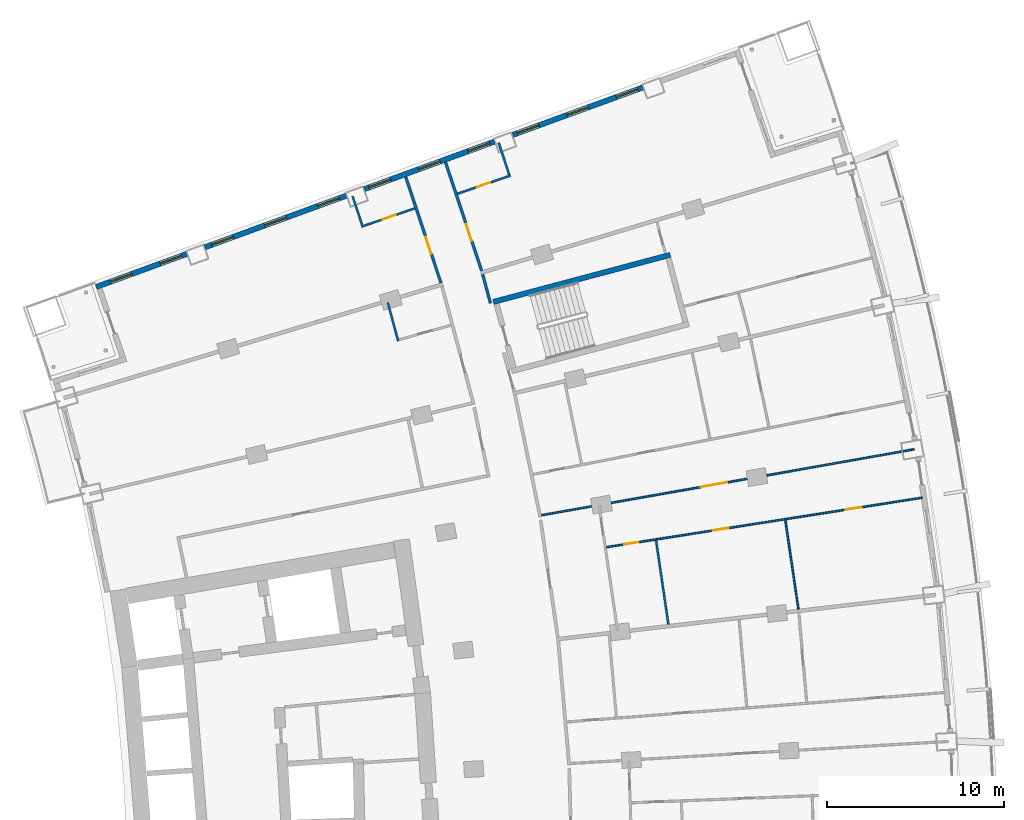
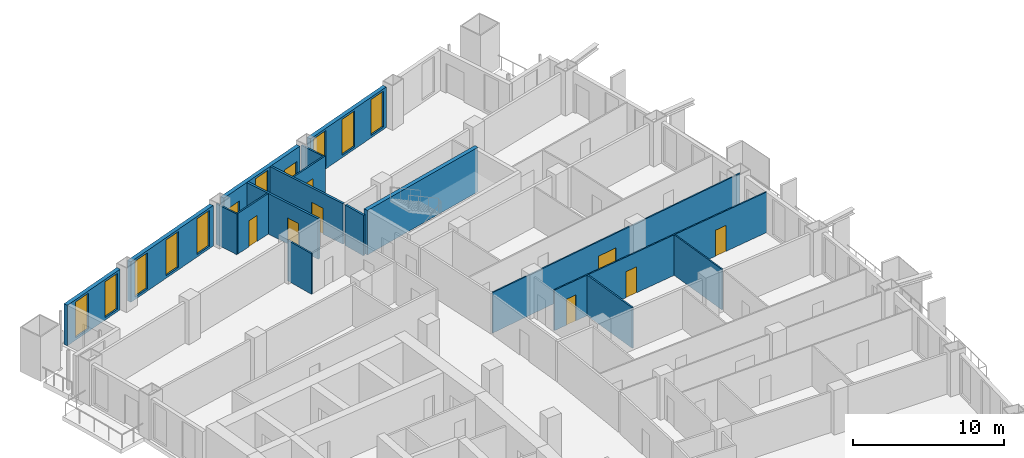
# One storey, part 20 of 25: 17 walls, 11 windows, 8 doors, 19 openings.
"""IFC4 building model written with IfcOpenShell, lengths in metres."""

import ifcopenshell
import ifcopenshell.guid

model = None  # the IFC model being written
_history = None  # IfcOwnerHistory: only IFC2X3 demands one
_inside = {}  # id of a spatial element -> (the spatial element, [elements in it])
_under = {}  # id of a project, library or spatial element -> (it, [spatial elements below it])
_declared = {}  # id of a project -> (the project, [libraries it declares])
_typed = {}  # id of a type object -> (the type object, [elements of that type])
_made_of = {}  # id of a material, layer set ... -> (it, [elements and type objects made of it])


def new_model(schema):
    """Start an empty IFC model of exactly this schema.

    Asked for "IFC4X3", IfcOpenShell would pick the latest addendum, in which some entities
    have other attributes; the version numbers below select the first issue.
    IFC2X3 requires an IfcOwnerHistory on every rooted entity: one is made here for all.
    """
    global model, _history
    if schema == "IFC4X3":
        model = ifcopenshell.file(schema_version=(4, 3, 0, 0))
    else:
        model = ifcopenshell.file(schema=schema)
    _inside.clear()
    _under.clear()
    _declared.clear()
    _typed.clear()
    _made_of.clear()
    _history = None
    if model.schema == "IFC2X3":
        org = make("IfcOrganization", Name="unknown")
        user = make(
            "IfcPersonAndOrganization",
            ThePerson=make("IfcPerson", FamilyName="unknown"),
            TheOrganization=org,
        )
        app = make(
            "IfcApplication",
            ApplicationDeveloper=org,
            Version="unknown",
            ApplicationFullName="unknown",
            ApplicationIdentifier="unknown",
        )
        _history = make(
            "IfcOwnerHistory",
            OwningUser=user,
            OwningApplication=app,
            ChangeAction="ADDED",
            CreationDate=0,
        )
    return model


def make(cls, **values):
    """One entity of the class cls with the attributes given. An attribute that is None is left unset."""
    return model.create_entity(
        cls, **{name: value for name, value in values.items() if value is not None}
    )


def rooted(cls, **values):
    """An entity with a GlobalId (a new one), such as an element, a storey or a relation."""
    return make(cls, GlobalId=ifcopenshell.guid.new(), OwnerHistory=_history, **values)


def si_unit(unit_type, name, prefix=None):
    """IfcSIUnit, for example si_unit("LENGTHUNIT", "METRE", prefix="MILLI")."""
    return make("IfcSIUnit", UnitType=unit_type, Prefix=prefix, Name=name)


def assignment(units):
    """IfcUnitAssignment: the units of a project."""
    return None if units is None else make("IfcUnitAssignment", Units=units)


def point(xyz):
    """IfcCartesianPoint."""
    return None if xyz is None else make("IfcCartesianPoint", Coordinates=xyz)


def direction(xyz):
    """IfcDirection."""
    return None if xyz is None else make("IfcDirection", DirectionRatios=xyz)


def frame(location, z_axis=None, x_axis=None):
    """IfcAxis2Placement3D, a coordinate frame: its origin and axes. An axis left out is left unset."""
    return make(
        "IfcAxis2Placement3D",
        Location=point(location),
        Axis=direction(z_axis),
        RefDirection=direction(x_axis),
    )


def frame_2d(location, x_axis=None):
    """IfcAxis2Placement2D, a coordinate frame in the plane: its origin and x axis."""
    return make(
        "IfcAxis2Placement2D", Location=point(location), RefDirection=direction(x_axis)
    )


def origin():
    """The frame at (0, 0, 0) with its axes left unset."""
    return frame((0.0, 0.0, 0.0))


def place(relative_to, where):
    """IfcLocalPlacement: puts the frame where relative to a parent placement (None: the world)."""
    return make(
        "IfcLocalPlacement", PlacementRelTo=relative_to, RelativePlacement=where
    )


def context(
    kind, dimensions, precision=None, world=None, true_north=None, identifier=None
):
    """IfcGeometricRepresentationContext, for example the 3D "Model" context."""
    return make(
        "IfcGeometricRepresentationContext",
        ContextIdentifier=identifier,
        ContextType=kind,
        CoordinateSpaceDimension=dimensions,
        Precision=precision,
        WorldCoordinateSystem=world,
        TrueNorth=true_north,
    )


def subcontext(parent, identifier, kind, view, scale=None):
    """IfcGeometricRepresentationSubContext, for example "Body" below "Model"."""
    return make(
        "IfcGeometricRepresentationSubContext",
        ContextIdentifier=identifier,
        ContextType=kind,
        ParentContext=parent,
        TargetScale=scale,
        TargetView=view,
    )


def project(units=None, contexts=None):
    """IfcProject with its units and contexts."""
    return rooted(
        "IfcProject",
        Name="project",
        RepresentationContexts=contexts,
        UnitsInContext=assignment(units),
    )


def spatial(cls, under=None, at=None, **own):
    """A site, building, storey or space (cls), placed at a placement, below another one or the project."""
    s = rooted(cls, ObjectPlacement=at, **own)
    if under is not None:
        _under.setdefault(under.id(), (under, []))[1].append(s)
    return s


def profile(cls, at=None, kind="AREA", **sizes):
    """A parametric profile (cls). Its sizes go by their IFC names, for example OverallWidth=200.0."""
    return make(cls, ProfileType=kind, Position=at, **sizes)


def rectangle(**sizes):
    """IfcRectangleProfileDef."""
    return profile("IfcRectangleProfileDef", **sizes)


def extrude(swept, where, along, depth):
    """IfcExtrudedAreaSolid: the profile swept, set in the frame where, extruded along a direction by depth."""
    return make(
        "IfcExtrudedAreaSolid",
        SweptArea=swept,
        Position=where,
        ExtrudedDirection=direction(along),
        Depth=depth,
    )


def shape(context_of_items, identifier, shape_type, items):
    """IfcShapeRepresentation: the items that make up one representation, for example the "Body"."""
    return make(
        "IfcShapeRepresentation",
        ContextOfItems=context_of_items,
        RepresentationIdentifier=identifier,
        RepresentationType=shape_type,
        Items=items,
    )


def material(Name=None, Category=None):
    """IfcMaterial."""
    return make("IfcMaterial", Name=Name, Category=Category)


def layer(
    of_material, thickness, ventilated=None, Name=None, Category=None, Priority=None
):
    """IfcMaterialLayer: one layer of a wall or slab, of a material (None: an air gap)."""
    return make(
        "IfcMaterialLayer",
        Material=of_material,
        LayerThickness=thickness,
        IsVentilated=ventilated,
        Name=Name,
        Category=Category,
        Priority=Priority,
    )


def layer_set(layers, Name=None):
    """IfcMaterialLayerSet."""
    return make("IfcMaterialLayerSet", MaterialLayers=layers, LayerSetName=Name)


def made_of(thing, what):
    """Note that an element or type object is made of a material, layer set ...; save() writes the relation."""
    if what is not None:
        _made_of.setdefault(what.id(), (what, []))[1].append(thing)
    return thing


def type_object(cls, material=None, **own):
    """A type object (cls), such as IfcWallType, which elements share."""
    return made_of(rooted(cls, **own), material)


def element(
    cls,
    number,
    at=None,
    inside=None,
    cuts=None,
    type_object=None,
    material=None,
    context=None,
    identifier="Body",
    shape_type=None,
    held_by="IfcProductDefinitionShape",
    body=None,
    shapes=None,
    **own,
):
    """One element of the class cls, such as IfcWall. Its Tag is "e" and its number.

    at: its placement. inside: the storey or other place that contains it. cuts: it is an
    opening in that element (IfcRelVoidsElement). A single representation is given by context,
    identifier, shape_type and body (its items); several are given by shapes. held_by: the class
    of the entity that holds the representations. save() writes the other relations.
    """
    e = rooted(cls, Tag="e%d" % number, ObjectPlacement=at, **own)
    if body is not None:
        shapes = [shape(context, identifier, shape_type, body)]
    if shapes is not None:
        e.Representation = make(held_by, Representations=shapes)
    if inside is not None:
        _inside.setdefault(inside.id(), (inside, []))[1].append(e)
    if cuts is not None:
        rooted(
            "IfcRelVoidsElement", RelatingBuildingElement=cuts, RelatedOpeningElement=e
        )
    if type_object is not None:
        _typed.setdefault(type_object.id(), (type_object, []))[1].append(e)
    return made_of(e, material)


def fill(opening, filler):
    """IfcRelFillsElement: the door or window that sits in an opening."""
    return rooted(
        "IfcRelFillsElement",
        RelatingOpeningElement=opening,
        RelatedBuildingElement=filler,
    )


def aggregate(whole, parts):
    """IfcRelAggregates: a whole, such as a stair, and the parts it consists of."""
    return rooted("IfcRelAggregates", RelatingObject=whole, RelatedObjects=parts)


def save(model, path):
    """Write the relations noted so far, then the file.

    IfcRelAggregates (storeys below a building ...), IfcRelContainedInSpatialStructure (elements
    in a storey), IfcRelDefinesByType, IfcRelAssociatesMaterial and IfcRelDeclares: one each for
    every whole, place, type object, material and project.
    """
    for whole, parts in _under.values():
        aggregate(whole, parts)
    for where, things in _inside.values():
        rooted(
            "IfcRelContainedInSpatialStructure",
            RelatedElements=things,
            RelatingStructure=where,
        )
    for kind, things in _typed.values():
        rooted("IfcRelDefinesByType", RelatedObjects=things, RelatingType=kind)
    for what, things in _made_of.values():
        rooted("IfcRelAssociatesMaterial", RelatedObjects=things, RelatingMaterial=what)
    for by, libraries in _declared.values():
        rooted("IfcRelDeclares", RelatingContext=by, RelatedDefinitions=libraries)
    model.write(path)


model = new_model("IFC4")

# Units and contexts
model_context = context("Model", 3, precision=1e-05, world=origin(), true_north=direction((0.0, 1.0)))
body_context = subcontext(model_context, "Body", "Model", "MODEL_VIEW")
ifc_project = project(units=[si_unit("LENGTHUNIT", "METRE"), si_unit("AREAUNIT", "SQUARE_METRE"), si_unit("VOLUMEUNIT", "CUBIC_METRE"), si_unit("PLANEANGLEUNIT", "RADIAN"), si_unit("MASSUNIT", "GRAM", prefix="KILO")], contexts=[model_context])

# Site, building, storey
site_placement = place(None, origin())
site = spatial("IfcSite", under=ifc_project, at=site_placement, CompositionType="ELEMENT")
building_placement = place(site_placement, origin())
building = spatial("IfcBuilding", under=site, at=building_placement, Name="Alderwake Tower", CompositionType="ELEMENT")
storey_placement = place(building_placement, frame((0.0, 0.0, 57.199951171875)))
storey = spatial("IfcBuildingStorey", under=building, at=storey_placement, Name="L13", CompositionType="ELEMENT", Elevation=57.199951171875)

# Wall
ifc_material_1 = material(Name="Concrete C70/85", Category="concrete")
ifc_layer_1 = layer(ifc_material_1, 0.300048828125)
ifc_layer_set_1 = layer_set([ifc_layer_1], Name="Core wall stair enclosure 300 C70-85")
wall_type_1 = type_object("IfcWallType", Name="Core wall stair enclosure 300 C70-85", PredefinedType="SHEAR", material=ifc_layer_set_1)
wall_1_placement = place(storey_placement, frame((36.71142578125, 94.182373046875, 0.0), z_axis=(0.0, 0.0, 1.0), x_axis=(0.966309214305, 0.257383958996, 0.0)))
element("IfcWall", 1, at=wall_1_placement, inside=storey, type_object=wall_type_1, Name="Core wall CW.082", PredefinedType="SHEAR", context=body_context, shape_type="SweptSolid", body=[
    extrude(rectangle(XDim=10.360107421875, YDim=0.300048828125, at=frame_2d((5.18017578125, 0.0))), origin(), (0.0, 0.0, 1.0), 3.60009765625),
])

# Wall, opening, door
ifc_material_2 = material(Name="Gypsum board on metal studs, rated")
ifc_layer_2 = layer(ifc_material_2, 0.159912109375)
ifc_layer_set_2 = layer_set([ifc_layer_2], Name="Corridor wall 160")
wall_type_2 = type_object("IfcWallType", Name="Corridor wall 160", PredefinedType="PARTITIONING", material=ifc_layer_set_2)
wall_2_placement = place(storey_placement, frame((33.75146484375, 95.2548828125, 0.0), z_axis=(0.0, 0.0, 1.0), x_axis=(-0.315406156735, 0.948956772616, 0.0)))
wall_2 = element("IfcWall", 2, at=wall_2_placement, inside=storey, type_object=wall_type_2, Name="WL/L13/W17", PredefinedType="PARTITIONING", context=body_context, shape_type="SweptSolid", body=[
    extrude(rectangle(XDim=6.330078125, YDim=0.159912109375, at=frame_2d((3.1650390625, 0.0))), origin(), (0.0, 0.0, 1.0), 3.280029296875),
])
opening_1_placement = place(wall_2_placement, frame((1.737060546875, 0.0, 0.0)))
opening_1 = element("IfcOpeningElement", 3, at=opening_1_placement, cuts=wall_2, Name="Opening R03-U12.1", PredefinedType="OPENING", context=body_context, shape_type="SweptSolid", body=[
    extrude(rectangle(XDim=1.0, YDim=2.10009765625, at=frame_2d((0.5, 1.050048828125))), frame((0.0, 0.08984375, 0.0), z_axis=(0.0, -1.0, 0.0), x_axis=(1.0, 0.0, 0.0)), (0.0, 0.0, 1.0), 0.179931640625),
])
ifc_material_3 = material(Name="Solid timber leaf in steel frame", Category="steel")
door_type_1 = type_object("IfcDoorType", Name="Flat entrance door 1000 fire-rated", OperationType="SINGLE_SWING_LEFT", PredefinedType="DOOR", material=ifc_material_3)
door_1_placement = place(opening_1_placement, origin())
door_1 = element("IfcDoor", 4, at=door_1_placement, inside=storey, type_object=door_type_1, Name="DR/L13/U12.1", OperationType="SINGLE_SWING_LEFT", OverallHeight=2.10009765625, OverallWidth=1.0, PredefinedType="DOOR", context=body_context, shape_type="SweptSolid", body=[
    extrude(rectangle(XDim=1.0, YDim=2.10009765625, at=frame_2d((0.5, 1.050048828125))), frame((0.0, 0.02490234375, 0.0), z_axis=(0.0, -1.0, 0.0), x_axis=(1.0, 0.0, 0.0)), (0.0, 0.0, 1.0), 0.050048828125),
])
fill(opening_1, door_1)

wall_3_placement = place(storey_placement, frame((34.010986328125, 102.083984375, 0.0), z_axis=(0.0, 0.0, 1.0), x_axis=(0.315140606423, -0.949044992708, 0.0)))
wall_3 = element("IfcWall", 5, at=wall_3_placement, inside=storey, type_object=wall_type_2, Name="WL/L13/W25", PredefinedType="PARTITIONING", context=body_context, shape_type="SweptSolid", body=[
    extrude(rectangle(XDim=6.46875, YDim=0.159912109375, at=frame_2d((3.234375, 0.0))), origin(), (0.0, 0.0, 1.0), 3.280029296875),
])
opening_2_placement = place(wall_3_placement, frame((3.685546875, 0.0, 0.0)))
opening_2 = element("IfcOpeningElement", 6, at=opening_2_placement, cuts=wall_3, Name="Opening R03-U04.1", PredefinedType="OPENING", context=body_context, shape_type="SweptSolid", body=[
    extrude(rectangle(XDim=1.0, YDim=2.10009765625, at=frame_2d((0.5, 1.050048828125))), frame((0.0, 0.08984375, 0.0), z_axis=(0.0, -1.0, 0.0), x_axis=(1.0, 0.0, 0.0)), (0.0, 0.0, 1.0), 0.179931640625),
])
door_2_placement = place(opening_2_placement, origin())
door_2 = element("IfcDoor", 7, at=door_2_placement, inside=storey, type_object=door_type_1, Name="DR/L13/U04.1", OperationType="SINGLE_SWING_LEFT", OverallHeight=2.10009765625, OverallWidth=1.0, PredefinedType="DOOR", context=body_context, shape_type="SweptSolid", body=[
    extrude(rectangle(XDim=1.0, YDim=2.10009765625, at=frame_2d((0.5, 1.050048828125))), frame((0.0, 0.02490234375, 0.0), z_axis=(0.0, -1.0, 0.0), x_axis=(1.0, 0.0, 0.0)), (0.0, 0.0, 1.0), 0.050048828125),
])
fill(opening_2, door_2)

# Wall
wall_4_placement = place(storey_placement, frame((36.549072265625, 94.110107421875, 0.0), z_axis=(0.0, 0.0, 1.0), x_axis=(-0.259813977097, 0.965658685719, 0.0)))
element("IfcWall", 8, at=wall_4_placement, inside=storey, type_object=wall_type_2, Name="WL/L13/W28", PredefinedType="PARTITIONING", context=body_context, shape_type="SweptSolid", body=[
    extrude(rectangle(XDim=1.70166015625, YDim=0.159912109375, at=frame_2d((0.850830078125, 0.0))), origin(), (0.0, 0.0, 1.0), 3.280029296875),
])

# Wall, openings, windows
ifc_material_4 = material(Name="Bronze metal cladding on lightweight framing")
ifc_layer_3 = layer(ifc_material_4, 0.300048828125)
ifc_layer_set_3 = layer_set([ifc_layer_3], Name="External wall EW2 bronze metal cladding")
wall_type_3 = type_object("IfcWallType", Name="External wall EW2 bronze metal cladding", PredefinedType="SOLIDWALL", material=ifc_layer_set_3)
wall_5_placement = place(storey_placement, frame((45.1630859375, 106.3154296875, 0.0), z_axis=(0.0, 0.0, 1.0), x_axis=(-0.939377568192, -0.342884505887, 0.0)))
wall_5 = element("IfcWall", 9, at=wall_5_placement, inside=storey, type_object=wall_type_3, Name="External wall 26", PredefinedType="SOLIDWALL", context=body_context, shape_type="SweptSolid", body=[
    extrude(rectangle(XDim=7.829345703125, YDim=0.300048828125, at=frame_2d((3.91455078125, 0.0))), origin(), (0.0, 0.0, 1.0), 3.280029296875),
])
opening_3_placement = place(wall_5_placement, frame((0.286865234375, 0.0, 0.199951171875)))
opening_3 = element("IfcOpeningElement", 10, at=opening_3_placement, cuts=wall_5, Name="Opening W1", PredefinedType="OPENING", context=body_context, shape_type="SweptSolid", body=[
    extrude(rectangle(XDim=1.300048828125, YDim=2.89990234375, at=frame_2d((0.64990234375, 1.449951171875))), frame((0.0, 0.159912109375, 0.0), z_axis=(0.0, -1.0, 0.0), x_axis=(1.0, 0.0, 0.0)), (0.0, 0.0, 1.0), 0.320068359375),
])
opening_4_placement = place(wall_5_placement, frame((3.2646484375, 0.0, 0.199951171875)))
opening_4 = element("IfcOpeningElement", 11, at=opening_4_placement, cuts=wall_5, Name="Opening W1", PredefinedType="OPENING", context=body_context, shape_type="SweptSolid", body=[
    extrude(rectangle(XDim=1.300048828125, YDim=2.89990234375, at=frame_2d((0.64990234375, 1.449951171875))), frame((0.0, 0.159912109375, 0.0), z_axis=(0.0, -1.0, 0.0), x_axis=(1.0, 0.0, 0.0)), (0.0, 0.0, 1.0), 0.320068359375),
])
opening_5_placement = place(wall_5_placement, frame((6.24267578125, 0.0, 0.199951171875)))
opening_5 = element("IfcOpeningElement", 12, at=opening_5_placement, cuts=wall_5, Name="Opening W1", PredefinedType="OPENING", context=body_context, shape_type="SweptSolid", body=[
    extrude(rectangle(XDim=1.300048828125, YDim=2.89990234375, at=frame_2d((0.64990234375, 1.449951171875))), frame((0.0, 0.159912109375, 0.0), z_axis=(0.0, -1.0, 0.0), x_axis=(1.0, 0.0, 0.0)), (0.0, 0.0, 1.0), 0.320068359375),
])
ifc_material_5 = material(Name="Bronze tinted glass in aluminium frame", Category="aluminium")
window_type_1 = type_object("IfcWindowType", Name="Window W1 tall fixed and vent", PartitioningType="DOUBLE_PANEL_VERTICAL", PredefinedType="WINDOW", material=ifc_material_5)
window_1_placement = place(opening_3_placement, origin())
window_1 = element("IfcWindow", 13, at=window_1_placement, inside=storey, type_object=window_type_1, Name="Window W1 tall fixed and vent", OverallHeight=2.89990234375, OverallWidth=1.300048828125, PartitioningType="DOUBLE_PANEL_VERTICAL", PredefinedType="WINDOW", context=body_context, shape_type="SweptSolid", body=[
    extrude(rectangle(XDim=1.300048828125, YDim=2.89990234375, at=frame_2d((0.64990234375, 1.449951171875))), frame((0.0, 0.030029296875, 0.0), z_axis=(0.0, -1.0, 0.0), x_axis=(1.0, 0.0, 0.0)), (0.0, 0.0, 1.0), 0.06005859375),
])
fill(opening_3, window_1)
window_2_placement = place(opening_4_placement, origin())
window_2 = element("IfcWindow", 14, at=window_2_placement, inside=storey, type_object=window_type_1, Name="Window W1 tall fixed and vent", OverallHeight=2.89990234375, OverallWidth=1.300048828125, PartitioningType="DOUBLE_PANEL_VERTICAL", PredefinedType="WINDOW", context=body_context, shape_type="SweptSolid", body=[
    extrude(rectangle(XDim=1.300048828125, YDim=2.89990234375, at=frame_2d((0.64990234375, 1.449951171875))), frame((0.0, 0.030029296875, 0.0), z_axis=(0.0, -1.0, 0.0), x_axis=(1.0, 0.0, 0.0)), (0.0, 0.0, 1.0), 0.06005859375),
])
fill(opening_4, window_2)
window_3_placement = place(opening_5_placement, origin())
window_3 = element("IfcWindow", 15, at=window_3_placement, inside=storey, type_object=window_type_1, Name="Window W1 tall fixed and vent", OverallHeight=2.89990234375, OverallWidth=1.300048828125, PartitioningType="DOUBLE_PANEL_VERTICAL", PredefinedType="WINDOW", context=body_context, shape_type="SweptSolid", body=[
    extrude(rectangle(XDim=1.300048828125, YDim=2.89990234375, at=frame_2d((0.64990234375, 1.449951171875))), frame((0.0, 0.030029296875, 0.0), z_axis=(0.0, -1.0, 0.0), x_axis=(1.0, 0.0, 0.0)), (0.0, 0.0, 1.0), 0.06005859375),
])
fill(opening_5, window_3)

wall_6_placement = place(storey_placement, frame((36.77099609375, 103.252197265625, 0.0), z_axis=(0.0, 0.0, 1.0), x_axis=(-0.939370235271, -0.34290459473, 0.0)))
wall_6 = element("IfcWall", 16, at=wall_6_placement, inside=storey, type_object=wall_type_3, Name="External wall 27", PredefinedType="SOLIDWALL", context=body_context, shape_type="SweptSolid", body=[
    extrude(rectangle(XDim=7.828857421875, YDim=0.300048828125, at=frame_2d((3.91455078125, 0.0))), origin(), (0.0, 0.0, 1.0), 3.280029296875),
])
opening_6_placement = place(wall_6_placement, frame((0.28662109375, 0.0, 1.0)))
opening_6 = element("IfcOpeningElement", 17, at=opening_6_placement, cuts=wall_6, Name="Opening W2", PredefinedType="OPENING", context=body_context, shape_type="SweptSolid", body=[
    extrude(rectangle(XDim=1.300048828125, YDim=1.199951171875, at=frame_2d((0.64990234375, 0.60009765625))), frame((0.0, 0.159912109375, 0.0), z_axis=(0.0, -1.0, 0.0), x_axis=(1.0, 0.0, 0.0)), (0.0, 0.0, 1.0), 0.320068359375),
])
opening_7_placement = place(wall_6_placement, frame((3.2646484375, 0.0, 0.199951171875)))
opening_7 = element("IfcOpeningElement", 18, at=opening_7_placement, cuts=wall_6, Name="Opening W1", PredefinedType="OPENING", context=body_context, shape_type="SweptSolid", body=[
    extrude(rectangle(XDim=1.300048828125, YDim=2.89990234375, at=frame_2d((0.64990234375, 1.449951171875))), frame((0.0, 0.159912109375, 0.0), z_axis=(0.0, -1.0, 0.0), x_axis=(1.0, 0.0, 0.0)), (0.0, 0.0, 1.0), 0.320068359375),
])
opening_8_placement = place(wall_6_placement, frame((6.242431640625, 0.0, 1.0)))
opening_8 = element("IfcOpeningElement", 19, at=opening_8_placement, cuts=wall_6, Name="Opening W2", PredefinedType="OPENING", context=body_context, shape_type="SweptSolid", body=[
    extrude(rectangle(XDim=1.300048828125, YDim=1.199951171875, at=frame_2d((0.64990234375, 0.60009765625))), frame((0.0, 0.159912109375, 0.0), z_axis=(0.0, -1.0, 0.0), x_axis=(1.0, 0.0, 0.0)), (0.0, 0.0, 1.0), 0.320068359375),
])
window_4_placement = place(opening_7_placement, origin())
window_4 = element("IfcWindow", 20, at=window_4_placement, inside=storey, type_object=window_type_1, Name="Window W1 tall fixed and vent", OverallHeight=2.89990234375, OverallWidth=1.300048828125, PartitioningType="DOUBLE_PANEL_VERTICAL", PredefinedType="WINDOW", context=body_context, shape_type="SweptSolid", body=[
    extrude(rectangle(XDim=1.300048828125, YDim=2.89990234375, at=frame_2d((0.64990234375, 1.449951171875))), frame((0.0, 0.030029296875, 0.0), z_axis=(0.0, -1.0, 0.0), x_axis=(1.0, 0.0, 0.0)), (0.0, 0.0, 1.0), 0.06005859375),
])
fill(opening_7, window_4)
ifc_material_6 = material(Name="Bronze tinted glass in aluminium frame", Category="aluminium")
window_type_2 = type_object("IfcWindowType", Name="Window W2 kitchen and bath", PartitioningType="SINGLE_PANEL", PredefinedType="WINDOW", material=ifc_material_6)
window_5_placement = place(opening_6_placement, origin())
window_5 = element("IfcWindow", 21, at=window_5_placement, inside=storey, type_object=window_type_2, Name="Window W2 kitchen and bath", OverallHeight=1.199951171875, OverallWidth=1.300048828125, PartitioningType="SINGLE_PANEL", PredefinedType="WINDOW", context=body_context, shape_type="SweptSolid", body=[
    extrude(rectangle(XDim=1.300048828125, YDim=1.199951171875, at=frame_2d((0.64990234375, 0.60009765625))), frame((0.0, 0.030029296875, 0.0), z_axis=(0.0, -1.0, 0.0), x_axis=(1.0, 0.0, 0.0)), (0.0, 0.0, 1.0), 0.06005859375),
])
fill(opening_6, window_5)
window_6_placement = place(opening_8_placement, origin())
window_6 = element("IfcWindow", 22, at=window_6_placement, inside=storey, type_object=window_type_2, Name="Window W2 kitchen and bath", OverallHeight=1.199951171875, OverallWidth=1.300048828125, PartitioningType="SINGLE_PANEL", PredefinedType="WINDOW", context=body_context, shape_type="SweptSolid", body=[
    extrude(rectangle(XDim=1.300048828125, YDim=1.199951171875, at=frame_2d((0.64990234375, 0.60009765625))), frame((0.0, 0.030029296875, 0.0), z_axis=(0.0, -1.0, 0.0), x_axis=(1.0, 0.0, 0.0)), (0.0, 0.0, 1.0), 0.06005859375),
])
fill(opening_8, window_6)

wall_7_placement = place(storey_placement, frame((28.37890625, 100.188720703125, 0.0), z_axis=(0.0, 0.0, 1.0), x_axis=(-0.939379066762, -0.342880400328, 0.0)))
wall_7 = element("IfcWall", 23, at=wall_7_placement, inside=storey, type_object=wall_type_3, Name="External wall 28", PredefinedType="SOLIDWALL", context=body_context, shape_type="SweptSolid", body=[
    extrude(rectangle(XDim=8.4951171875, YDim=0.300048828125, at=frame_2d((4.24755859375, 0.0))), origin(), (0.0, 0.0, 1.0), 3.280029296875),
])
opening_9_placement = place(wall_7_placement, frame((0.397705078125, 0.0, 0.199951171875)))
opening_9 = element("IfcOpeningElement", 24, at=opening_9_placement, cuts=wall_7, Name="Opening W1", PredefinedType="OPENING", context=body_context, shape_type="SweptSolid", body=[
    extrude(rectangle(XDim=1.300048828125, YDim=2.89990234375, at=frame_2d((0.64990234375, 1.449951171875))), frame((0.0, 0.159912109375, 0.0), z_axis=(0.0, -1.0, 0.0), x_axis=(1.0, 0.0, 0.0)), (0.0, 0.0, 1.0), 0.320068359375),
])
opening_10_placement = place(wall_7_placement, frame((3.59765625, 0.0, 0.199951171875)))
opening_10 = element("IfcOpeningElement", 25, at=opening_10_placement, cuts=wall_7, Name="Opening W1", PredefinedType="OPENING", context=body_context, shape_type="SweptSolid", body=[
    extrude(rectangle(XDim=1.300048828125, YDim=2.89990234375, at=frame_2d((0.64990234375, 1.449951171875))), frame((0.0, 0.159912109375, 0.0), z_axis=(0.0, -1.0, 0.0), x_axis=(1.0, 0.0, 0.0)), (0.0, 0.0, 1.0), 0.320068359375),
])
opening_11_placement = place(wall_7_placement, frame((6.7978515625, 0.0, 0.199951171875)))
opening_11 = element("IfcOpeningElement", 26, at=opening_11_placement, cuts=wall_7, Name="Opening W1", PredefinedType="OPENING", context=body_context, shape_type="SweptSolid", body=[
    extrude(rectangle(XDim=1.300048828125, YDim=2.89990234375, at=frame_2d((0.64990234375, 1.449951171875))), frame((0.0, 0.159912109375, 0.0), z_axis=(0.0, -1.0, 0.0), x_axis=(1.0, 0.0, 0.0)), (0.0, 0.0, 1.0), 0.320068359375),
])
window_7_placement = place(opening_9_placement, origin())
window_7 = element("IfcWindow", 27, at=window_7_placement, inside=storey, type_object=window_type_1, Name="Window W1 tall fixed and vent", OverallHeight=2.89990234375, OverallWidth=1.300048828125, PartitioningType="DOUBLE_PANEL_VERTICAL", PredefinedType="WINDOW", context=body_context, shape_type="SweptSolid", body=[
    extrude(rectangle(XDim=1.300048828125, YDim=2.89990234375, at=frame_2d((0.64990234375, 1.449951171875))), frame((0.0, 0.030029296875, 0.0), z_axis=(0.0, -1.0, 0.0), x_axis=(1.0, 0.0, 0.0)), (0.0, 0.0, 1.0), 0.06005859375),
])
fill(opening_9, window_7)
window_8_placement = place(opening_10_placement, origin())
window_8 = element("IfcWindow", 28, at=window_8_placement, inside=storey, type_object=window_type_1, Name="Window W1 tall fixed and vent", OverallHeight=2.89990234375, OverallWidth=1.300048828125, PartitioningType="DOUBLE_PANEL_VERTICAL", PredefinedType="WINDOW", context=body_context, shape_type="SweptSolid", body=[
    extrude(rectangle(XDim=1.300048828125, YDim=2.89990234375, at=frame_2d((0.64990234375, 1.449951171875))), frame((0.0, 0.030029296875, 0.0), z_axis=(0.0, -1.0, 0.0), x_axis=(1.0, 0.0, 0.0)), (0.0, 0.0, 1.0), 0.06005859375),
])
fill(opening_10, window_8)
window_9_placement = place(opening_11_placement, origin())
window_9 = element("IfcWindow", 29, at=window_9_placement, inside=storey, type_object=window_type_1, Name="Window W1 tall fixed and vent", OverallHeight=2.89990234375, OverallWidth=1.300048828125, PartitioningType="DOUBLE_PANEL_VERTICAL", PredefinedType="WINDOW", context=body_context, shape_type="SweptSolid", body=[
    extrude(rectangle(XDim=1.300048828125, YDim=2.89990234375, at=frame_2d((0.64990234375, 1.449951171875))), frame((0.0, 0.030029296875, 0.0), z_axis=(0.0, -1.0, 0.0), x_axis=(1.0, 0.0, 0.0)), (0.0, 0.0, 1.0), 0.06005859375),
])
fill(opening_11, window_9)

wall_8_placement = place(storey_placement, frame((19.360595703125, 96.89697265625, 0.0), z_axis=(0.0, 0.0, 1.0), x_axis=(-0.939360985368, -0.342929933321, 0.0)))
wall_8 = element("IfcWall", 30, at=wall_8_placement, inside=storey, type_object=wall_type_3, Name="External wall 29", PredefinedType="SOLIDWALL", context=body_context, shape_type="SweptSolid", body=[
    extrude(rectangle(XDim=5.448974609375, YDim=0.300048828125, at=frame_2d((2.724609375, 0.0))), origin(), (0.0, 0.0, 1.0), 3.280029296875),
])
opening_12_placement = place(wall_8_placement, frame((0.2978515625, 0.0, 0.199951171875)))
opening_12 = element("IfcOpeningElement", 31, at=opening_12_placement, cuts=wall_8, Name="Opening W1", PredefinedType="OPENING", context=body_context, shape_type="SweptSolid", body=[
    extrude(rectangle(XDim=1.300048828125, YDim=2.89990234375, at=frame_2d((0.64990234375, 1.449951171875))), frame((0.0, 0.159912109375, 0.0), z_axis=(0.0, -1.0, 0.0), x_axis=(1.0, 0.0, 0.0)), (0.0, 0.0, 1.0), 0.320068359375),
])
opening_13_placement = place(wall_8_placement, frame((3.298583984375, 0.0, 0.199951171875)))
opening_13 = element("IfcOpeningElement", 32, at=opening_13_placement, cuts=wall_8, Name="Opening W1", PredefinedType="OPENING", context=body_context, shape_type="SweptSolid", body=[
    extrude(rectangle(XDim=1.300048828125, YDim=2.89990234375, at=frame_2d((0.64990234375, 1.449951171875))), frame((0.0, 0.159912109375, 0.0), z_axis=(0.0, -1.0, 0.0), x_axis=(1.0, 0.0, 0.0)), (0.0, 0.0, 1.0), 0.320068359375),
])
window_10_placement = place(opening_12_placement, origin())
window_10 = element("IfcWindow", 33, at=window_10_placement, inside=storey, type_object=window_type_1, Name="Window W1 tall fixed and vent", OverallHeight=2.89990234375, OverallWidth=1.300048828125, PartitioningType="DOUBLE_PANEL_VERTICAL", PredefinedType="WINDOW", context=body_context, shape_type="SweptSolid", body=[
    extrude(rectangle(XDim=1.300048828125, YDim=2.89990234375, at=frame_2d((0.64990234375, 1.449951171875))), frame((0.0, 0.030029296875, 0.0), z_axis=(0.0, -1.0, 0.0), x_axis=(1.0, 0.0, 0.0)), (0.0, 0.0, 1.0), 0.06005859375),
])
fill(opening_12, window_10)
window_11_placement = place(opening_13_placement, origin())
window_11 = element("IfcWindow", 34, at=window_11_placement, inside=storey, type_object=window_type_1, Name="Window W1 tall fixed and vent", OverallHeight=2.89990234375, OverallWidth=1.300048828125, PartitioningType="DOUBLE_PANEL_VERTICAL", PredefinedType="WINDOW", context=body_context, shape_type="SweptSolid", body=[
    extrude(rectangle(XDim=1.300048828125, YDim=2.89990234375, at=frame_2d((0.64990234375, 1.449951171875))), frame((0.0, 0.030029296875, 0.0), z_axis=(0.0, -1.0, 0.0), x_axis=(1.0, 0.0, 0.0)), (0.0, 0.0, 1.0), 0.06005859375),
])
fill(opening_13, window_11)

# Wall, opening, door
ifc_material_7 = material(Name="Gypsum board on metal studs")
ifc_layer_4 = layer(ifc_material_7, 0.10009765625)
ifc_layer_set_4 = layer_set([ifc_layer_4], Name="Unit partition 100")
wall_type_4 = type_object("IfcWallType", Name="Unit partition 100", PredefinedType="PARTITIONING", material=ifc_layer_set_4)
wall_9_placement = place(storey_placement, frame((39.4267578125, 82.114990234375, 0.0), z_axis=(0.0, 0.0, 1.0), x_axis=(0.984721073887, 0.174139043994, 0.0)))
wall_9 = element("IfcWall", 35, at=wall_9_placement, inside=storey, type_object=wall_type_4, Name="WL/L13/W68", PredefinedType="PARTITIONING", context=body_context, shape_type="SweptSolid", body=[
    extrude(rectangle(XDim=21.41943359375, YDim=0.10009765625, at=frame_2d((10.709716796875, 0.0))), origin(), (0.0, 0.0, 1.0), 3.280029296875),
])
opening_14_placement = place(wall_9_placement, frame((9.166259765625, 0.0, 0.0)))
opening_14 = element("IfcOpeningElement", 36, at=opening_14_placement, cuts=wall_9, Name="Opening R03-U08.10", PredefinedType="OPENING", context=body_context, shape_type="SweptSolid", body=[
    extrude(rectangle(XDim=1.5, YDim=2.10009765625, at=frame_2d((0.75, 1.050048828125))), frame((0.0, 0.06005859375, 0.0), z_axis=(0.0, -1.0, 0.0), x_axis=(1.0, 0.0, 0.0)), (0.0, 0.0, 1.0), 0.1201171875),
])
ifc_material_8 = material(Name="Painted timber leaves", Category="wood")
door_type_2 = type_object("IfcDoorType", Name="Double leaf door 1500", OperationType="DOUBLE_DOOR_SINGLE_SWING", PredefinedType="DOOR", material=ifc_material_8)
door_3_placement = place(opening_14_placement, origin())
door_3 = element("IfcDoor", 37, at=door_3_placement, inside=storey, type_object=door_type_2, Name="DR/L13/U08.10", OperationType="DOUBLE_DOOR_SINGLE_SWING", OverallHeight=2.10009765625, OverallWidth=1.5, PredefinedType="DOOR", context=body_context, shape_type="SweptSolid", body=[
    extrude(rectangle(XDim=1.5, YDim=2.10009765625, at=frame_2d((0.75, 1.050048828125))), frame((0.0, 0.02490234375, 0.0), z_axis=(0.0, -1.0, 0.0), x_axis=(1.0, 0.0, 0.0)), (0.0, 0.0, 1.0), 0.050048828125),
])
fill(opening_14, door_3)

# Wall, openings, doors
wall_10_placement = place(storey_placement, frame((60.97509765625, 83.10888671875, 0.0), z_axis=(0.0, 0.0, 1.0), x_axis=(-0.987927589792, -0.154916355911, 0.0)))
wall_10 = element("IfcWall", 38, at=wall_10_placement, inside=storey, type_object=wall_type_4, Name="WL/L13/W72", PredefinedType="PARTITIONING", context=body_context, shape_type="SweptSolid", body=[
    extrude(rectangle(XDim=18.083984375, YDim=0.10009765625, at=frame_2d((9.0419921875, 0.0))), origin(), (0.0, 0.0, 1.0), 3.280029296875),
])
opening_15_placement = place(wall_10_placement, frame((11.094970703125, 0.0, 0.0)))
opening_15 = element("IfcOpeningElement", 39, at=opening_15_placement, cuts=wall_10, Name="Opening R03-U08.1", PredefinedType="OPENING", context=body_context, shape_type="SweptSolid", body=[
    extrude(rectangle(XDim=0.89990234375, YDim=2.10009765625, at=frame_2d((0.449951171875, 1.050048828125))), frame((0.0, 0.06005859375, 0.0), z_axis=(0.0, -1.0, 0.0), x_axis=(1.0, 0.0, 0.0)), (0.0, 0.0, 1.0), 0.1201171875),
])
opening_16_placement = place(wall_10_placement, frame((16.26513671875, 0.0, 0.0)))
opening_16 = element("IfcOpeningElement", 40, at=opening_16_placement, cuts=wall_10, Name="Opening R03-U08.4", PredefinedType="OPENING", context=body_context, shape_type="SweptSolid", body=[
    extrude(rectangle(XDim=0.800048828125, YDim=2.10009765625, at=frame_2d((0.39990234375, 1.050048828125))), frame((0.0, 0.06005859375, 0.0), z_axis=(0.0, -1.0, 0.0), x_axis=(1.0, 0.0, 0.0)), (0.0, 0.0, 1.0), 0.1201171875),
])
opening_17_placement = place(wall_10_placement, frame((3.47265625, 0.0, 0.0)))
opening_17 = element("IfcOpeningElement", 41, at=opening_17_placement, cuts=wall_10, Name="Opening R03-U08.5", PredefinedType="OPENING", context=body_context, shape_type="SweptSolid", body=[
    extrude(rectangle(XDim=0.89990234375, YDim=2.10009765625, at=frame_2d((0.449951171875, 1.050048828125))), frame((0.0, 0.06005859375, 0.0), z_axis=(0.0, -1.0, 0.0), x_axis=(1.0, 0.0, 0.0)), (0.0, 0.0, 1.0), 0.1201171875),
])
ifc_material_9 = material(Name="Painted timber leaf", Category="wood")
door_type_3 = type_object("IfcDoorType", Name="Bathroom door 800", OperationType="SINGLE_SWING_LEFT", PredefinedType="DOOR", material=ifc_material_9)
door_4_placement = place(opening_16_placement, origin())
door_4 = element("IfcDoor", 42, at=door_4_placement, inside=storey, type_object=door_type_3, Name="DR/L13/U08.4", OperationType="SINGLE_SWING_LEFT", OverallHeight=2.10009765625, OverallWidth=0.800048828125, PredefinedType="DOOR", context=body_context, shape_type="SweptSolid", body=[
    extrude(rectangle(XDim=0.800048828125, YDim=2.10009765625, at=frame_2d((0.39990234375, 1.050048828125))), frame((0.0, 0.02490234375, 0.0), z_axis=(0.0, -1.0, 0.0), x_axis=(1.0, 0.0, 0.0)), (0.0, 0.0, 1.0), 0.050048828125),
])
fill(opening_16, door_4)
ifc_material_10 = material(Name="Painted timber leaf", Category="wood")
door_type_4 = type_object("IfcDoorType", Name="Room door 900", OperationType="SINGLE_SWING_LEFT", PredefinedType="DOOR", material=ifc_material_10)
door_5_placement = place(opening_15_placement, origin())
door_5 = element("IfcDoor", 43, at=door_5_placement, inside=storey, type_object=door_type_4, Name="DR/L13/U08.1", OperationType="SINGLE_SWING_LEFT", OverallHeight=2.10009765625, OverallWidth=0.89990234375, PredefinedType="DOOR", context=body_context, shape_type="SweptSolid", body=[
    extrude(rectangle(XDim=0.89990234375, YDim=2.10009765625, at=frame_2d((0.449951171875, 1.050048828125))), frame((0.0, 0.02490234375, 0.0), z_axis=(0.0, -1.0, 0.0), x_axis=(1.0, 0.0, 0.0)), (0.0, 0.0, 1.0), 0.050048828125),
])
fill(opening_15, door_5)
door_6_placement = place(opening_17_placement, origin())
door_6 = element("IfcDoor", 44, at=door_6_placement, inside=storey, type_object=door_type_4, Name="DR/L13/U08.5", OperationType="SINGLE_SWING_LEFT", OverallHeight=2.10009765625, OverallWidth=0.89990234375, PredefinedType="DOOR", context=body_context, shape_type="SweptSolid", body=[
    extrude(rectangle(XDim=0.89990234375, YDim=2.10009765625, at=frame_2d((0.449951171875, 1.050048828125))), frame((0.0, 0.02490234375, 0.0), z_axis=(0.0, -1.0, 0.0), x_axis=(1.0, 0.0, 0.0)), (0.0, 0.0, 1.0), 0.050048828125),
])
fill(opening_17, door_6)

# Walls
wall_11_placement = place(storey_placement, frame((53.973388671875, 76.802978515625, 0.0), z_axis=(0.0, 0.0, 1.0), x_axis=(-0.145223628797, 0.9893988567, 0.0)))
element("IfcWall", 45, at=wall_11_placement, inside=storey, type_object=wall_type_4, Name="WL/L13/W87", PredefinedType="PARTITIONING", context=body_context, shape_type="SweptSolid", body=[
    extrude(rectangle(XDim=5.095458984375, YDim=0.10009765625, at=frame_2d((2.5478515625, 0.0))), origin(), (0.0, 0.0, 1.0), 3.280029296875),
])
ifc_material_11 = material(Name="Moisture resistant gypsum board on metal studs")
ifc_layer_5 = layer(ifc_material_11, 0.1201171875)
ifc_layer_set_5 = layer_set([ifc_layer_5], Name="Wet room partition 120")
wall_type_5 = type_object("IfcWallType", Name="Wet room partition 120", PredefinedType="PARTITIONING", material=ifc_layer_set_5)
wall_12_placement = place(storey_placement, frame((28.7490234375, 100.1640625, 0.0), z_axis=(0.0, 0.0, 1.0), x_axis=(0.314645530733, -0.949209244577, 0.0)))
element("IfcWall", 46, at=wall_12_placement, inside=storey, type_object=wall_type_5, Name="WL/L13/W41", PredefinedType="PARTITIONING", context=body_context, shape_type="SweptSolid", body=[
    extrude(rectangle(XDim=1.85205078125, YDim=0.1201171875, at=frame_2d((0.926025390625, 0.0))), origin(), (0.0, 0.0, 1.0), 3.280029296875),
])

# Wall, opening, door
wall_13_placement = place(storey_placement, frame((29.369873046875, 98.482421875, 0.0), z_axis=(0.0, 0.0, 1.0), x_axis=(0.945919367523, 0.324401834375, 0.0)))
wall_13 = element("IfcWall", 47, at=wall_13_placement, inside=storey, type_object=wall_type_5, Name="WL/L13/W42", PredefinedType="PARTITIONING", context=body_context, shape_type="SweptSolid", body=[
    extrude(rectangle(XDim=3.06005859375, YDim=0.1201171875, at=frame_2d((1.530029296875, 0.0))), origin(), (0.0, 0.0, 1.0), 3.280029296875),
])
opening_18_placement = place(wall_13_placement, frame((1.1298828125, 0.0, 0.0)))
opening_18 = element("IfcOpeningElement", 48, at=opening_18_placement, cuts=wall_13, Name="Opening R03-U12.2", PredefinedType="OPENING", context=body_context, shape_type="SweptSolid", body=[
    extrude(rectangle(XDim=0.800048828125, YDim=2.10009765625, at=frame_2d((0.39990234375, 1.050048828125))), frame((0.0, 0.070068359375, 0.0), z_axis=(0.0, -1.0, 0.0), x_axis=(1.0, 0.0, 0.0)), (0.0, 0.0, 1.0), 0.14013671875),
])
door_7_placement = place(opening_18_placement, origin())
door_7 = element("IfcDoor", 49, at=door_7_placement, inside=storey, type_object=door_type_3, Name="DR/L13/U12.2", OperationType="SINGLE_SWING_LEFT", OverallHeight=2.10009765625, OverallWidth=0.800048828125, PredefinedType="DOOR", context=body_context, shape_type="SweptSolid", body=[
    extrude(rectangle(XDim=0.800048828125, YDim=2.10009765625, at=frame_2d((0.39990234375, 1.050048828125))), frame((0.0, 0.02490234375, 0.0), z_axis=(0.0, -1.0, 0.0), x_axis=(1.0, 0.0, 0.0)), (0.0, 0.0, 1.0), 0.050048828125),
])
fill(opening_18, door_7)

# Wall
wall_14_placement = place(storey_placement, frame((30.742919921875, 94.1455078125, 0.0), z_axis=(0.0, 0.0, 1.0), x_axis=(0.260393144933, -0.965502672224, 0.0)))
element("IfcWall", 50, at=wall_14_placement, inside=storey, type_object=wall_type_5, Name="WL/L13/W44", PredefinedType="PARTITIONING", context=body_context, shape_type="SweptSolid", body=[
    extrude(rectangle(XDim=2.2529296875, YDim=0.1201171875, at=frame_2d((1.12646484375, 0.0))), origin(), (0.0, 0.0, 1.0), 3.280029296875),
])

# Wall, opening, door
wall_15_placement = place(storey_placement, frame((34.686767578125, 100.303955078125, 0.0), z_axis=(0.0, 0.0, 1.0), x_axis=(0.945825306408, 0.324675976566, 0.0)))
wall_15 = element("IfcWall", 51, at=wall_15_placement, inside=storey, type_object=wall_type_5, Name="WL/L13/W48", PredefinedType="PARTITIONING", context=body_context, shape_type="SweptSolid", body=[
    extrude(rectangle(XDim=3.177001953125, YDim=0.1201171875, at=frame_2d((1.58837890625, 0.0))), origin(), (0.0, 0.0, 1.0), 3.280029296875),
])
opening_19_placement = place(wall_15_placement, frame((1.158935546875, 0.0, 0.0)))
opening_19 = element("IfcOpeningElement", 52, at=opening_19_placement, cuts=wall_15, Name="Opening R03-U04.2", PredefinedType="OPENING", context=body_context, shape_type="SweptSolid", body=[
    extrude(rectangle(XDim=0.800048828125, YDim=2.10009765625, at=frame_2d((0.39990234375, 1.050048828125))), frame((0.0, 0.070068359375, 0.0), z_axis=(0.0, -1.0, 0.0), x_axis=(1.0, 0.0, 0.0)), (0.0, 0.0, 1.0), 0.14013671875),
])
door_8_placement = place(opening_19_placement, origin())
door_8 = element("IfcDoor", 53, at=door_8_placement, inside=storey, type_object=door_type_3, Name="DR/L13/U04.2", OperationType="SINGLE_SWING_LEFT", OverallHeight=2.10009765625, OverallWidth=0.800048828125, PredefinedType="DOOR", context=body_context, shape_type="SweptSolid", body=[
    extrude(rectangle(XDim=0.800048828125, YDim=2.10009765625, at=frame_2d((0.39990234375, 1.050048828125))), frame((0.0, 0.02490234375, 0.0), z_axis=(0.0, -1.0, 0.0), x_axis=(1.0, 0.0, 0.0)), (0.0, 0.0, 1.0), 0.050048828125),
])
fill(opening_19, door_8)

# Walls
wall_16_placement = place(storey_placement, frame((37.6162109375, 101.373046875, 0.0), z_axis=(0.0, 0.0, 1.0), x_axis=(-0.3144206194, 0.949283769005, 0.0)))
element("IfcWall", 54, at=wall_16_placement, inside=storey, type_object=wall_type_5, Name="WL/L13/W51", PredefinedType="PARTITIONING", context=body_context, shape_type="SweptSolid", body=[
    extrude(rectangle(XDim=1.905517578125, YDim=0.1201171875, at=frame_2d((0.95263671875, 0.0))), origin(), (0.0, 0.0, 1.0), 3.280029296875),
])
wall_17_placement = place(storey_placement, frame((46.617431640625, 75.93896484375, 0.0), z_axis=(0.0, 0.0, 1.0), x_axis=(-0.145238137818, 0.989396726962, 0.0)))
element("IfcWall", 55, at=wall_17_placement, inside=storey, type_object=wall_type_5, Name="WL/L13/W62", PredefinedType="PARTITIONING", context=body_context, shape_type="SweptSolid", body=[
    extrude(rectangle(XDim=4.8076171875, YDim=0.1201171875, at=frame_2d((2.40380859375, 0.0))), origin(), (0.0, 0.0, 1.0), 3.280029296875),
])

save(model, "model.ifc")
